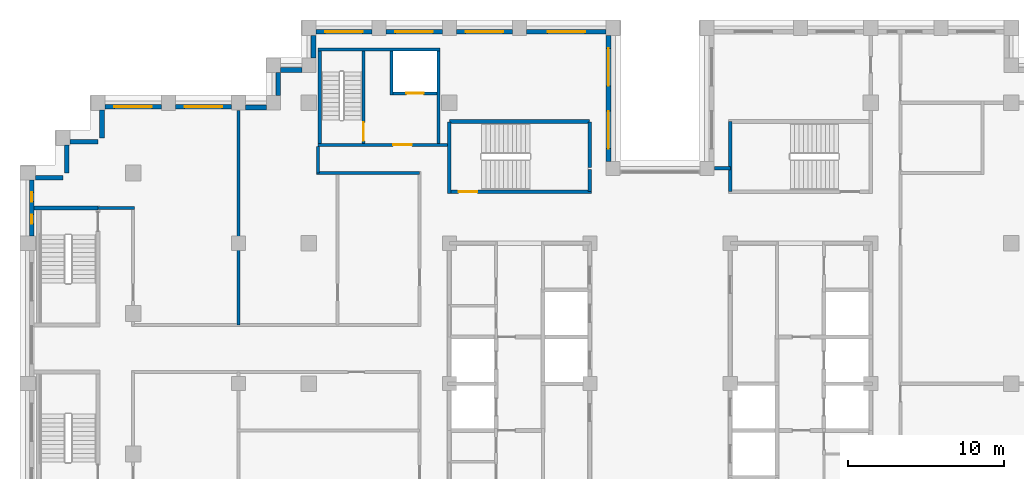
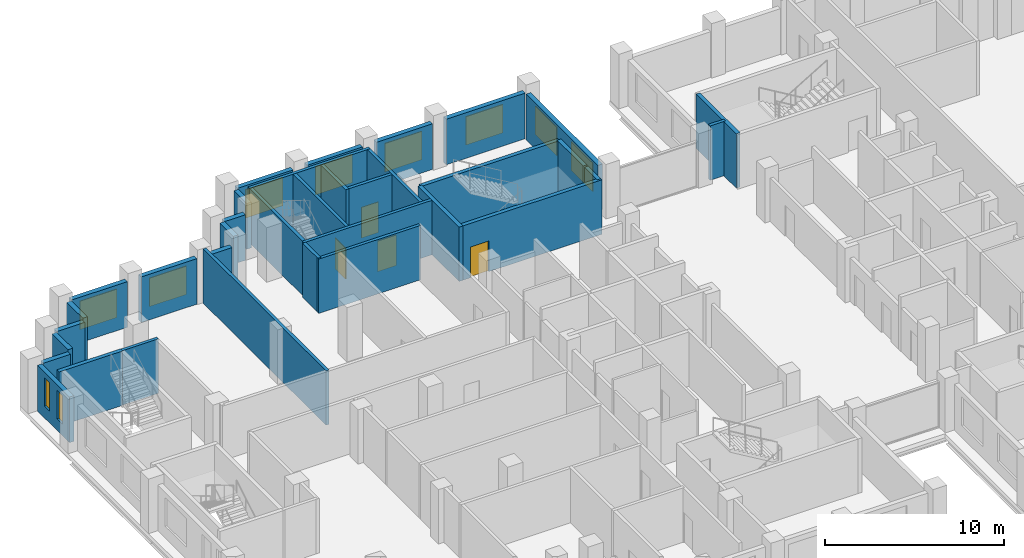
# One storey, part 10 of 15: 35 walls, 10 windows, 4 doors, 14 openings.
"""IFC4 building model written with IfcOpenShell, lengths in metres."""

from ifc_helpers import new_model, si_unit, direction, frame, frame_2d, origin, place, context, subcontext, project, spatial, rectangle, extrude, material, layer, layer_set, type_object, element, fill, save


model = new_model("IFC4")

# Units and contexts
model_context = context("Model", 3, precision=1e-05, world=origin(), true_north=direction((0.0, 1.0)))
body_context = subcontext(model_context, "Body", "Model", "MODEL_VIEW")
ifc_project = project(units=[si_unit("LENGTHUNIT", "METRE"), si_unit("AREAUNIT", "SQUARE_METRE"), si_unit("VOLUMEUNIT", "CUBIC_METRE"), si_unit("PLANEANGLEUNIT", "RADIAN"), si_unit("MASSUNIT", "GRAM", prefix="KILO")], contexts=[model_context])

# Site, building, storey
site_placement = place(None, origin())
site = spatial("IfcSite", under=ifc_project, at=site_placement, CompositionType="ELEMENT")
building_placement = place(site_placement, origin())
building = spatial("IfcBuilding", under=site, at=building_placement, Name="Corbelhall Arena Tower", CompositionType="ELEMENT")
storey_placement = place(building_placement, frame((0.0, 0.0, 208.0)))
storey = spatial("IfcBuildingStorey", under=building, at=storey_placement, Name="L43", CompositionType="ELEMENT", Elevation=208.0)

# Walls
ifc_material_1 = material(Name="Precast concrete C40/50 with granite facing", Category="masonry")
ifc_layer_1 = layer(ifc_material_1, 0.300048828125)
ifc_layer_set_1 = layer_set([ifc_layer_1], Name="EV-IW1 Infill panel 300")
wall_type_1 = type_object("IfcWallType", Name="EV-IW1 Infill panel 300", PredefinedType="SOLIDWALL", material=ifc_layer_set_1)
for number, where, z_axis, x_axis, name in (
    (1, (-35.75, 17.550048828125, 0.0), (0.0, 0.0, 1.0), (0.0, -1.0, 0.0), "Infill panel IW1"),
    (2, (-37.800048828125, 15.5, 0.0), (0.0, 0.0, 1.0), (1.0, 0.0, 0.0), "Infill panel IW1"),
    (3, (-38.0, 15.300048828125, 0.0), (0.0, 0.0, 1.0), (0.0, -1.0, 0.0), "Infill panel IW1"),
):
    element("IfcWall", number, at=place(storey_placement, frame(where, z_axis=z_axis, x_axis=x_axis)), inside=storey, type_object=wall_type_1, Name=name, PredefinedType="SOLIDWALL", context=body_context, shape_type="SweptSolid", body=[
        extrude(rectangle(XDim=1.800048828125, YDim=0.300048828125, at=frame_2d((0.89990234375, 0.0))), origin(), (0.0, 0.0, 1.0), 3.1201171875),
    ])
wall_1_placement = place(storey_placement, frame((-40.0, 13.199951171875, 0.0), z_axis=(0.0, 0.0, 1.0), x_axis=(1.0, 0.0, 0.0)))
element("IfcWall", 4, at=wall_1_placement, inside=storey, type_object=wall_type_1, Name="Infill panel IW1", PredefinedType="SOLIDWALL", context=body_context, shape_type="SweptSolid", body=[
    extrude(rectangle(XDim=1.75, YDim=0.300048828125, at=frame_2d((0.875, 0.0))), origin(), (0.0, 0.0, 1.0), 3.1201171875),
])
wall_2_placement = place(storey_placement, frame((-22.949951171875, 20.10009765625, 0.0), z_axis=(0.0, 0.0, 1.0), x_axis=(-1.0, 0.0, 0.0)))
element("IfcWall", 5, at=wall_2_placement, inside=storey, type_object=wall_type_1, Name="Infill panel IW1", PredefinedType="SOLIDWALL", context=body_context, shape_type="SweptSolid", body=[
    extrude(rectangle(XDim=1.35009765625, YDim=0.300048828125, at=frame_2d((0.675048828125, 0.0))), origin(), (0.0, 0.0, 1.0), 3.1201171875),
])
wall_3_placement = place(storey_placement, frame((-24.449951171875, 19.949951171875, 0.0), z_axis=(0.0, 0.0, 1.0), x_axis=(0.0, -1.0, 0.0)))
element("IfcWall", 6, at=wall_3_placement, inside=storey, type_object=wall_type_1, Name="Infill panel IW1", PredefinedType="SOLIDWALL", context=body_context, shape_type="SweptSolid", body=[
    extrude(rectangle(XDim=1.5, YDim=0.300048828125, at=frame_2d((0.75, 0.0))), origin(), (0.0, 0.0, 1.0), 3.1201171875),
])
wall_4_placement = place(storey_placement, frame((-25.199951171875, 17.699951171875, 0.0), z_axis=(0.0, 0.0, 1.0), x_axis=(-1.0, 0.0, 0.0)))
element("IfcWall", 7, at=wall_4_placement, inside=storey, type_object=wall_type_1, Name="Infill panel IW1", PredefinedType="SOLIDWALL", context=body_context, shape_type="SweptSolid", body=[
    extrude(rectangle(XDim=1.35009765625, YDim=0.300048828125, at=frame_2d((0.675048828125, 0.0))), origin(), (0.0, 0.0, 1.0), 3.1201171875),
])

# Wall, opening, window
wall_5_placement = place(storey_placement, frame((-27.449951171875, 17.75, 0.0), z_axis=(0.0, 0.0, 1.0), x_axis=(-1.0, 0.0, 0.0)))
wall_5 = element("IfcWall", 8, at=wall_5_placement, inside=storey, type_object=wall_type_1, Name="Infill panel IW1", PredefinedType="SOLIDWALL", context=body_context, shape_type="SweptSolid", body=[
    extrude(rectangle(XDim=3.60009765625, YDim=0.300048828125, at=frame_2d((1.800048828125, 0.0))), origin(), (0.0, 0.0, 1.0), 3.1201171875),
])
opening_1_placement = place(wall_5_placement, frame((0.60009765625, 0.0, 0.800048828125)))
opening_1 = element("IfcOpeningElement", 9, at=opening_1_placement, cuts=wall_5, Name="Opening WN1", PredefinedType="OPENING", context=body_context, shape_type="SweptSolid", body=[
    extrude(rectangle(XDim=2.39990234375, YDim=1.949951171875, at=frame_2d((1.199951171875, 0.97509765625))), frame((0.0, 0.14990234375, 0.0), z_axis=(0.0, -1.0, 0.0), x_axis=(1.0, 0.0, 0.0)), (0.0, 0.0, 1.0), 0.300048828125),
])
ifc_material_2 = material(Name="Aluminium black anodised", Category="aluminium")
window_type_1 = type_object("IfcWindowType", Name="EV-WN1 Office window", PartitioningType="SINGLE_PANEL", PredefinedType="WINDOW", material=ifc_material_2)
window_1_placement = place(opening_1_placement, origin())
window_1 = element("IfcWindow", 10, at=window_1_placement, inside=storey, type_object=window_type_1, Name="Window WN1", OverallHeight=1.949951171875, OverallWidth=2.39990234375, PartitioningType="SINGLE_PANEL", PredefinedType="WINDOW", context=body_context, shape_type="SweptSolid", body=[
    extrude(rectangle(XDim=2.39990234375, YDim=1.949951171875, at=frame_2d((1.199951171875, 0.97509765625))), frame((0.0, 0.030029296875, 0.0), z_axis=(0.0, -1.0, 0.0), x_axis=(1.0, 0.0, 0.0)), (0.0, 0.0, 1.0), 0.06005859375),
])
fill(opening_1, window_1)

wall_6_placement = place(storey_placement, frame((-31.949951171875, 17.75, 0.0), z_axis=(0.0, 0.0, 1.0), x_axis=(-1.0, 0.0, 0.0)))
wall_6 = element("IfcWall", 11, at=wall_6_placement, inside=storey, type_object=wall_type_1, Name="Infill panel IW1", PredefinedType="SOLIDWALL", context=body_context, shape_type="SweptSolid", body=[
    extrude(rectangle(XDim=3.60009765625, YDim=0.300048828125, at=frame_2d((1.800048828125, 0.0))), origin(), (0.0, 0.0, 1.0), 3.1201171875),
])
opening_2_placement = place(wall_6_placement, frame((0.60009765625, 0.0, 0.800048828125)))
opening_2 = element("IfcOpeningElement", 12, at=opening_2_placement, cuts=wall_6, Name="Opening WN1", PredefinedType="OPENING", context=body_context, shape_type="SweptSolid", body=[
    extrude(rectangle(XDim=2.39990234375, YDim=1.949951171875, at=frame_2d((1.199951171875, 0.97509765625))), frame((0.0, 0.14990234375, 0.0), z_axis=(0.0, -1.0, 0.0), x_axis=(1.0, 0.0, 0.0)), (0.0, 0.0, 1.0), 0.300048828125),
])
window_2_placement = place(opening_2_placement, origin())
window_2 = element("IfcWindow", 13, at=window_2_placement, inside=storey, type_object=window_type_1, Name="Window WN1", OverallHeight=1.949951171875, OverallWidth=2.39990234375, PartitioningType="SINGLE_PANEL", PredefinedType="WINDOW", context=body_context, shape_type="SweptSolid", body=[
    extrude(rectangle(XDim=2.39990234375, YDim=1.949951171875, at=frame_2d((1.199951171875, 0.97509765625))), frame((0.0, 0.030029296875, 0.0), z_axis=(0.0, -1.0, 0.0), x_axis=(1.0, 0.0, 0.0)), (0.0, 0.0, 1.0), 0.06005859375),
])
fill(opening_2, window_2)

# Wall, openings, windows
wall_7_placement = place(storey_placement, frame((-40.25, 13.050048828125, 0.0), z_axis=(0.0, 0.0, 1.0), x_axis=(0.0, -1.0, 0.0)))
wall_7 = element("IfcWall", 14, at=wall_7_placement, inside=storey, type_object=wall_type_1, Name="Infill panel IW1", PredefinedType="SOLIDWALL", context=body_context, shape_type="SweptSolid", body=[
    extrude(rectangle(XDim=3.60009765625, YDim=0.300048828125, at=frame_2d((1.800048828125, 0.0))), origin(), (0.0, 0.0, 1.0), 3.1201171875),
])
opening_3_placement = place(wall_7_placement, frame((0.78759765625, 0.0, 0.800048828125)))
opening_3 = element("IfcOpeningElement", 15, at=opening_3_placement, cuts=wall_7, Name="Opening WN5", PredefinedType="OPENING", context=body_context, shape_type="SweptSolid", body=[
    extrude(rectangle(XDim=0.60009765625, YDim=1.949951171875, at=frame_2d((0.300048828125, 0.97509765625))), frame((0.0, 0.14990234375, 0.0), z_axis=(0.0, -1.0, 0.0), x_axis=(1.0, 0.0, 0.0)), (0.0, 0.0, 1.0), 0.300048828125),
])
opening_4_placement = place(wall_7_placement, frame((2.21240234375, 0.0, 0.800048828125)))
opening_4 = element("IfcOpeningElement", 16, at=opening_4_placement, cuts=wall_7, Name="Opening WN5", PredefinedType="OPENING", context=body_context, shape_type="SweptSolid", body=[
    extrude(rectangle(XDim=0.60009765625, YDim=1.949951171875, at=frame_2d((0.300048828125, 0.97509765625))), frame((0.0, 0.14990234375, 0.0), z_axis=(0.0, -1.0, 0.0), x_axis=(1.0, 0.0, 0.0)), (0.0, 0.0, 1.0), 0.300048828125),
])
window_type_2 = type_object("IfcWindowType", Name="EV-WN5 Office window 600", PartitioningType="SINGLE_PANEL", PredefinedType="WINDOW", material=ifc_material_2)
window_3_placement = place(opening_3_placement, origin())
window_3 = element("IfcWindow", 17, at=window_3_placement, inside=storey, type_object=window_type_2, Name="Window WN5", OverallHeight=1.949951171875, OverallWidth=0.60009765625, PartitioningType="SINGLE_PANEL", PredefinedType="WINDOW", context=body_context, shape_type="SweptSolid", body=[
    extrude(rectangle(XDim=0.60009765625, YDim=1.949951171875, at=frame_2d((0.300048828125, 0.97509765625))), frame((0.0, 0.030029296875, 0.0), z_axis=(0.0, -1.0, 0.0), x_axis=(1.0, 0.0, 0.0)), (0.0, 0.0, 1.0), 0.06005859375),
])
fill(opening_3, window_3)
window_4_placement = place(opening_4_placement, origin())
window_4 = element("IfcWindow", 18, at=window_4_placement, inside=storey, type_object=window_type_2, Name="Window WN5", OverallHeight=1.949951171875, OverallWidth=0.60009765625, PartitioningType="SINGLE_PANEL", PredefinedType="WINDOW", context=body_context, shape_type="SweptSolid", body=[
    extrude(rectangle(XDim=0.60009765625, YDim=1.949951171875, at=frame_2d((0.300048828125, 0.97509765625))), frame((0.0, 0.030029296875, 0.0), z_axis=(0.0, -1.0, 0.0), x_axis=(1.0, 0.0, 0.0)), (0.0, 0.0, 1.0), 0.06005859375),
])
fill(opening_4, window_4)

wall_8_placement = place(storey_placement, frame((-3.300048828125, 14.25, 0.0), z_axis=(0.0, 0.0, 1.0), x_axis=(0.0, 1.0, 0.0)))
wall_8 = element("IfcWall", 19, at=wall_8_placement, inside=storey, type_object=wall_type_1, Name="Infill panel IW1", PredefinedType="SOLIDWALL", context=body_context, shape_type="SweptSolid", body=[
    extrude(rectangle(XDim=8.050048828125, YDim=0.300048828125, at=frame_2d((4.02490234375, 0.0))), origin(), (0.0, 0.0, 1.0), 3.1201171875),
])
opening_5_placement = place(wall_8_placement, frame((0.8125, 0.0, 0.800048828125)))
opening_5 = element("IfcOpeningElement", 20, at=opening_5_placement, cuts=wall_8, Name="Opening WN1", PredefinedType="OPENING", context=body_context, shape_type="SweptSolid", body=[
    extrude(rectangle(XDim=2.39990234375, YDim=1.949951171875, at=frame_2d((1.199951171875, 0.97509765625))), frame((0.0, 0.14990234375, 0.0), z_axis=(0.0, -1.0, 0.0), x_axis=(1.0, 0.0, 0.0)), (0.0, 0.0, 1.0), 0.300048828125),
])
opening_6_placement = place(wall_8_placement, frame((4.83740234375, 0.0, 0.800048828125)))
opening_6 = element("IfcOpeningElement", 21, at=opening_6_placement, cuts=wall_8, Name="Opening WN1", PredefinedType="OPENING", context=body_context, shape_type="SweptSolid", body=[
    extrude(rectangle(XDim=2.39990234375, YDim=1.949951171875, at=frame_2d((1.199951171875, 0.97509765625))), frame((0.0, 0.14990234375, 0.0), z_axis=(0.0, -1.0, 0.0), x_axis=(1.0, 0.0, 0.0)), (0.0, 0.0, 1.0), 0.300048828125),
])
window_5_placement = place(opening_5_placement, origin())
window_5 = element("IfcWindow", 22, at=window_5_placement, inside=storey, type_object=window_type_1, Name="Window WN1", OverallHeight=1.949951171875, OverallWidth=2.39990234375, PartitioningType="SINGLE_PANEL", PredefinedType="WINDOW", context=body_context, shape_type="SweptSolid", body=[
    extrude(rectangle(XDim=2.39990234375, YDim=1.949951171875, at=frame_2d((1.199951171875, 0.97509765625))), frame((0.0, 0.030029296875, 0.0), z_axis=(0.0, -1.0, 0.0), x_axis=(1.0, 0.0, 0.0)), (0.0, 0.0, 1.0), 0.06005859375),
])
fill(opening_5, window_5)
window_6_placement = place(opening_6_placement, origin())
window_6 = element("IfcWindow", 23, at=window_6_placement, inside=storey, type_object=window_type_1, Name="Window WN1", OverallHeight=1.949951171875, OverallWidth=2.39990234375, PartitioningType="SINGLE_PANEL", PredefinedType="WINDOW", context=body_context, shape_type="SweptSolid", body=[
    extrude(rectangle(XDim=2.39990234375, YDim=1.949951171875, at=frame_2d((1.199951171875, 0.97509765625))), frame((0.0, 0.030029296875, 0.0), z_axis=(0.0, -1.0, 0.0), x_axis=(1.0, 0.0, 0.0)), (0.0, 0.0, 1.0), 0.06005859375),
])
fill(opening_6, window_6)

# Wall, opening, window
wall_9_placement = place(storey_placement, frame((-3.449951171875, 22.550048828125, 0.0), z_axis=(0.0, 0.0, 1.0), x_axis=(-1.0, 0.0, 0.0)))
wall_9 = element("IfcWall", 24, at=wall_9_placement, inside=storey, type_object=wall_type_1, Name="Infill panel IW1", PredefinedType="SOLIDWALL", context=body_context, shape_type="SweptSolid", body=[
    extrude(rectangle(XDim=5.10009765625, YDim=0.300048828125, at=frame_2d((2.550048828125, 0.0))), origin(), (0.0, 0.0, 1.0), 3.1201171875),
])
opening_7_placement = place(wall_9_placement, frame((1.35009765625, 0.0, 0.800048828125)))
opening_7 = element("IfcOpeningElement", 25, at=opening_7_placement, cuts=wall_9, Name="Opening WN1", PredefinedType="OPENING", context=body_context, shape_type="SweptSolid", body=[
    extrude(rectangle(XDim=2.39990234375, YDim=1.949951171875, at=frame_2d((1.199951171875, 0.97509765625))), frame((0.0, 0.14990234375, 0.0), z_axis=(0.0, -1.0, 0.0), x_axis=(1.0, 0.0, 0.0)), (0.0, 0.0, 1.0), 0.300048828125),
])
window_7_placement = place(opening_7_placement, origin())
window_7 = element("IfcWindow", 26, at=window_7_placement, inside=storey, type_object=window_type_1, Name="Window WN1", OverallHeight=1.949951171875, OverallWidth=2.39990234375, PartitioningType="SINGLE_PANEL", PredefinedType="WINDOW", context=body_context, shape_type="SweptSolid", body=[
    extrude(rectangle(XDim=2.39990234375, YDim=1.949951171875, at=frame_2d((1.199951171875, 0.97509765625))), frame((0.0, 0.030029296875, 0.0), z_axis=(0.0, -1.0, 0.0), x_axis=(1.0, 0.0, 0.0)), (0.0, 0.0, 1.0), 0.06005859375),
])
fill(opening_7, window_7)

wall_10_placement = place(storey_placement, frame((-9.449951171875, 22.550048828125, 0.0), z_axis=(0.0, 0.0, 1.0), x_axis=(-1.0, 0.0, 0.0)))
wall_10 = element("IfcWall", 27, at=wall_10_placement, inside=storey, type_object=wall_type_1, Name="Infill panel IW1", PredefinedType="SOLIDWALL", context=body_context, shape_type="SweptSolid", body=[
    extrude(rectangle(XDim=3.60009765625, YDim=0.300048828125, at=frame_2d((1.800048828125, 0.0))), origin(), (0.0, 0.0, 1.0), 3.1201171875),
])
opening_8_placement = place(wall_10_placement, frame((0.60009765625, 0.0, 0.800048828125)))
opening_8 = element("IfcOpeningElement", 28, at=opening_8_placement, cuts=wall_10, Name="Opening WN1", PredefinedType="OPENING", context=body_context, shape_type="SweptSolid", body=[
    extrude(rectangle(XDim=2.39990234375, YDim=1.949951171875, at=frame_2d((1.199951171875, 0.97509765625))), frame((0.0, 0.14990234375, 0.0), z_axis=(0.0, -1.0, 0.0), x_axis=(1.0, 0.0, 0.0)), (0.0, 0.0, 1.0), 0.300048828125),
])
window_8_placement = place(opening_8_placement, origin())
window_8 = element("IfcWindow", 29, at=window_8_placement, inside=storey, type_object=window_type_1, Name="Window WN1", OverallHeight=1.949951171875, OverallWidth=2.39990234375, PartitioningType="SINGLE_PANEL", PredefinedType="WINDOW", context=body_context, shape_type="SweptSolid", body=[
    extrude(rectangle(XDim=2.39990234375, YDim=1.949951171875, at=frame_2d((1.199951171875, 0.97509765625))), frame((0.0, 0.030029296875, 0.0), z_axis=(0.0, -1.0, 0.0), x_axis=(1.0, 0.0, 0.0)), (0.0, 0.0, 1.0), 0.06005859375),
])
fill(opening_8, window_8)

wall_11_placement = place(storey_placement, frame((-13.949951171875, 22.550048828125, 0.0), z_axis=(0.0, 0.0, 1.0), x_axis=(-1.0, 0.0, 0.0)))
wall_11 = element("IfcWall", 30, at=wall_11_placement, inside=storey, type_object=wall_type_1, Name="Infill panel IW1", PredefinedType="SOLIDWALL", context=body_context, shape_type="SweptSolid", body=[
    extrude(rectangle(XDim=3.60009765625, YDim=0.300048828125, at=frame_2d((1.800048828125, 0.0))), origin(), (0.0, 0.0, 1.0), 3.1201171875),
])
opening_9_placement = place(wall_11_placement, frame((0.60009765625, 0.0, 0.800048828125)))
opening_9 = element("IfcOpeningElement", 31, at=opening_9_placement, cuts=wall_11, Name="Opening WN1", PredefinedType="OPENING", context=body_context, shape_type="SweptSolid", body=[
    extrude(rectangle(XDim=2.39990234375, YDim=1.949951171875, at=frame_2d((1.199951171875, 0.97509765625))), frame((0.0, 0.14990234375, 0.0), z_axis=(0.0, -1.0, 0.0), x_axis=(1.0, 0.0, 0.0)), (0.0, 0.0, 1.0), 0.300048828125),
])
window_9_placement = place(opening_9_placement, origin())
window_9 = element("IfcWindow", 32, at=window_9_placement, inside=storey, type_object=window_type_1, Name="Window WN1", OverallHeight=1.949951171875, OverallWidth=2.39990234375, PartitioningType="SINGLE_PANEL", PredefinedType="WINDOW", context=body_context, shape_type="SweptSolid", body=[
    extrude(rectangle(XDim=2.39990234375, YDim=1.949951171875, at=frame_2d((1.199951171875, 0.97509765625))), frame((0.0, 0.030029296875, 0.0), z_axis=(0.0, -1.0, 0.0), x_axis=(1.0, 0.0, 0.0)), (0.0, 0.0, 1.0), 0.06005859375),
])
fill(opening_9, window_9)

wall_12_placement = place(storey_placement, frame((-18.449951171875, 22.550048828125, 0.0), z_axis=(0.0, 0.0, 1.0), x_axis=(-1.0, 0.0, 0.0)))
wall_12 = element("IfcWall", 33, at=wall_12_placement, inside=storey, type_object=wall_type_1, Name="Infill panel IW1", PredefinedType="SOLIDWALL", context=body_context, shape_type="SweptSolid", body=[
    extrude(rectangle(XDim=3.60009765625, YDim=0.300048828125, at=frame_2d((1.800048828125, 0.0))), origin(), (0.0, 0.0, 1.0), 3.1201171875),
])
opening_10_placement = place(wall_12_placement, frame((0.60009765625, 0.0, 0.800048828125)))
opening_10 = element("IfcOpeningElement", 34, at=opening_10_placement, cuts=wall_12, Name="Opening WN1", PredefinedType="OPENING", context=body_context, shape_type="SweptSolid", body=[
    extrude(rectangle(XDim=2.39990234375, YDim=1.949951171875, at=frame_2d((1.199951171875, 0.97509765625))), frame((0.0, 0.14990234375, 0.0), z_axis=(0.0, -1.0, 0.0), x_axis=(1.0, 0.0, 0.0)), (0.0, 0.0, 1.0), 0.300048828125),
])
window_10_placement = place(opening_10_placement, origin())
window_10 = element("IfcWindow", 35, at=window_10_placement, inside=storey, type_object=window_type_1, Name="Window WN1", OverallHeight=1.949951171875, OverallWidth=2.39990234375, PartitioningType="SINGLE_PANEL", PredefinedType="WINDOW", context=body_context, shape_type="SweptSolid", body=[
    extrude(rectangle(XDim=2.39990234375, YDim=1.949951171875, at=frame_2d((1.199951171875, 0.97509765625))), frame((0.0, 0.030029296875, 0.0), z_axis=(0.0, -1.0, 0.0), x_axis=(1.0, 0.0, 0.0)), (0.0, 0.0, 1.0), 0.06005859375),
])
fill(opening_10, window_10)

# Walls
wall_13_placement = place(storey_placement, frame((-22.199951171875, 22.300048828125, 0.0), z_axis=(0.0, 0.0, 1.0), x_axis=(0.0, -1.0, 0.0)))
element("IfcWall", 36, at=wall_13_placement, inside=storey, type_object=wall_type_1, Name="Infill panel IW1", PredefinedType="SOLIDWALL", context=body_context, shape_type="SweptSolid", body=[
    extrude(rectangle(XDim=1.449951171875, YDim=0.300048828125, at=frame_2d((0.72509765625, 0.0))), origin(), (0.0, 0.0, 1.0), 3.1201171875),
])
ifc_material_3 = material(Name="Gypsum board on steel stud, acoustic", Category="steel")
ifc_layer_2 = layer(ifc_material_3, 0.199951171875)
ifc_layer_set_2 = layer_set([ifc_layer_2], Name="IN-W-DM200")
wall_type_2 = type_object("IfcWallType", Name="IN-W-DM200", PredefinedType="PARTITIONING", material=ifc_layer_set_2)
wall_14_placement = place(storey_placement, frame((-36.0, 11.25, 0.0), z_axis=(0.0, 0.0, 1.0), x_axis=(1.0, 0.0, 0.0)))
element("IfcWall", 37, at=wall_14_placement, inside=storey, type_object=wall_type_2, Name="Partition 001", PredefinedType="PARTITIONING", context=body_context, shape_type="SweptSolid", body=[
    extrude(rectangle(XDim=2.35009765625, YDim=0.199951171875, at=frame_2d((1.175048828125, 0.0))), origin(), (0.0, 0.0, 1.0), 3.719970703125),
])
wall_15_placement = place(storey_placement, frame((-27.0, 3.75, 0.0), z_axis=(0.0, 0.0, 1.0), x_axis=(0.0, 1.0, 0.0)))
element("IfcWall", 38, at=wall_15_placement, inside=storey, type_object=wall_type_2, Name="Partition 010", PredefinedType="PARTITIONING", context=body_context, shape_type="SweptSolid", body=[
    extrude(rectangle(XDim=13.75, YDim=0.199951171875, at=frame_2d((6.875, 0.0))), origin(), (0.0, 0.0, 1.0), 3.719970703125),
])
wall_16_placement = place(storey_placement, frame((-21.89990234375, 13.5, 0.0), z_axis=(0.0, 0.0, 1.0), x_axis=(0.0, 1.0, 0.0)))
element("IfcWall", 39, at=wall_16_placement, inside=storey, type_object=wall_type_2, Name="Partition 012", PredefinedType="PARTITIONING", context=body_context, shape_type="SweptSolid", body=[
    extrude(rectangle(XDim=1.699951171875, YDim=0.199951171875, at=frame_2d((0.85009765625, 0.0))), origin(), (0.0, 0.0, 1.0), 3.719970703125),
])
wall_17_placement = place(storey_placement, frame((-15.39990234375, 13.5, 0.0), z_axis=(0.0, 0.0, 1.0), x_axis=(-1.0, 0.0, 0.0)))
element("IfcWall", 40, at=wall_17_placement, inside=storey, type_object=wall_type_2, Name="Partition 014", PredefinedType="PARTITIONING", context=body_context, shape_type="SweptSolid", body=[
    extrude(rectangle(XDim=6.60009765625, YDim=0.199951171875, at=frame_2d((3.300048828125, 0.0))), origin(), (0.0, 0.0, 1.0), 3.719970703125),
])
wall_18_placement = place(storey_placement, frame((3.50048828125, 13.800048828125, 0.0), z_axis=(0.0, 0.0, 1.0), x_axis=(1.0, 0.0, 0.0)))
element("IfcWall", 41, at=wall_18_placement, inside=storey, type_object=wall_type_2, Name="Partition 021", PredefinedType="PARTITIONING", context=body_context, shape_type="SweptSolid", body=[
    extrude(rectangle(XDim=0.9990234375, YDim=0.199951171875, at=frame_2d((0.49951171875, 0.0))), origin(), (0.0, 0.0, 1.0), 3.719970703125),
])

# Wall, opening, door
ifc_material_4 = material(Name="Concrete C40/50", Category="concrete")
ifc_layer_3 = layer(ifc_material_4, 0.199951171875)
ifc_layer_set_3 = layer_set([ifc_layer_3], Name="IN-W-EAR200")
wall_type_3 = type_object("IfcWallType", Name="IN-W-EAR200", PredefinedType="SOLIDWALL", material=ifc_layer_set_3)
wall_19_placement = place(storey_placement, frame((-21.89990234375, 15.300048828125, 0.0), z_axis=(0.0, 0.0, 1.0), x_axis=(1.0, 0.0, 0.0)))
wall_19 = element("IfcWall", 42, at=wall_19_placement, inside=storey, type_object=wall_type_3, Name="Fire service turret wall south", PredefinedType="SOLIDWALL", context=body_context, shape_type="SweptSolid", body=[
    extrude(rectangle(XDim=8.27490234375, YDim=0.199951171875, at=frame_2d((4.137451171875, 0.0))), origin(), (0.0, 0.0, 1.0), 3.719970703125),
])
opening_11_placement = place(wall_19_placement, frame((4.800048828125, 0.0, 0.0)))
opening_11 = element("IfcOpeningElement", 43, at=opening_11_placement, cuts=wall_19, Name="Opening E132", PredefinedType="OPENING", context=body_context, shape_type="SweptSolid", body=[
    extrude(rectangle(XDim=1.199951171875, YDim=2.10009765625, at=frame_2d((0.60009765625, 1.050048828125))), frame((0.0, 0.10009765625, 0.0), z_axis=(0.0, -1.0, 0.0), x_axis=(1.0, 0.0, 0.0)), (0.0, 0.0, 1.0), 0.199951171875),
])
ifc_material_5 = material(Name="Steel door set", Category="steel")
door_type_1 = type_object("IfcDoorType", Name="IN-D-ST120", OperationType="NOTDEFINED", PredefinedType="DOOR", material=ifc_material_5)
door_1_placement = place(opening_11_placement, origin())
door_1 = element("IfcDoor", 44, at=door_1_placement, inside=storey, type_object=door_type_1, Name="Door from fire service lift lobby to circulation", OperationType="SINGLE_SWING_RIGHT", OverallHeight=2.10009765625, OverallWidth=1.199951171875, PredefinedType="DOOR", context=body_context, shape_type="SweptSolid", body=[
    extrude(rectangle(XDim=1.199951171875, YDim=2.10009765625, at=frame_2d((0.60009765625, 1.050048828125))), frame((0.0, 0.02490234375, 0.0), z_axis=(0.0, -1.0, 0.0), x_axis=(1.0, 0.0, 0.0)), (0.0, 0.0, 1.0), 0.050048828125),
])
fill(opening_11, door_1)

# Walls
wall_20_placement = place(storey_placement, frame((-21.89990234375, 21.39990234375, 0.0), z_axis=(0.0, 0.0, 1.0), x_axis=(1.0, 0.0, 0.0)))
element("IfcWall", 45, at=wall_20_placement, inside=storey, type_object=wall_type_3, Name="Fire service turret wall north", PredefinedType="SOLIDWALL", context=body_context, shape_type="SweptSolid", body=[
    extrude(rectangle(XDim=7.7998046875, YDim=0.199951171875, at=frame_2d((3.89990234375, 0.0))), origin(), (0.0, 0.0, 1.0), 3.719970703125),
])
for number, where, z_axis, x_axis, name in (
    (46, (-21.800048828125, 15.39990234375, 0.0), (0.0, 0.0, 1.0), (0.0, 1.0, 0.0), "Fire service turret wall west"),
    (47, (-14.199951171875, 15.39990234375, 0.0), (0.0, 0.0, 1.0), (0.0, 1.0, 0.0), "Fire service turret wall east"),
):
    element("IfcWall", number, at=place(storey_placement, frame(where, z_axis=z_axis, x_axis=x_axis)), inside=storey, type_object=wall_type_3, Name=name, PredefinedType="SOLIDWALL", context=body_context, shape_type="SweptSolid", body=[
        extrude(rectangle(XDim=5.900146484375, YDim=0.199951171875, at=frame_2d((2.9501953125, 0.0))), origin(), (0.0, 0.0, 1.0), 3.719970703125),
    ])

# Wall, opening, door
wall_21_placement = place(storey_placement, frame((-18.989990234375, 15.39990234375, 0.0), z_axis=(0.0, 0.0, 1.0), x_axis=(0.0, 1.0, 0.0)))
wall_21 = element("IfcWall", 48, at=wall_21_placement, inside=storey, type_object=wall_type_3, Name="Fire service turret wall stair", PredefinedType="SOLIDWALL", context=body_context, shape_type="SweptSolid", body=[
    extrude(rectangle(XDim=5.900146484375, YDim=0.199951171875, at=frame_2d((2.9501953125, 0.0))), origin(), (0.0, 0.0, 1.0), 3.719970703125),
])
opening_12_placement = place(wall_21_placement, frame((0.14990234375, 0.0, 0.0)))
opening_12 = element("IfcOpeningElement", 49, at=opening_12_placement, cuts=wall_21, Name="Opening E131", PredefinedType="OPENING", context=body_context, shape_type="SweptSolid", body=[
    extrude(rectangle(XDim=1.199951171875, YDim=2.10009765625, at=frame_2d((0.60009765625, 1.050048828125))), frame((0.0, 0.10009765625, 0.0), z_axis=(0.0, -1.0, 0.0), x_axis=(1.0, 0.0, 0.0)), (0.0, 0.0, 1.0), 0.199951171875),
])
door_2_placement = place(opening_12_placement, origin())
door_2 = element("IfcDoor", 50, at=door_2_placement, inside=storey, type_object=door_type_1, Name="Stair door to fire service lobby", OperationType="SINGLE_SWING_LEFT", OverallHeight=2.10009765625, OverallWidth=1.199951171875, PredefinedType="DOOR", context=body_context, shape_type="SweptSolid", body=[
    extrude(rectangle(XDim=1.199951171875, YDim=2.10009765625, at=frame_2d((0.60009765625, 1.050048828125))), frame((0.0, 0.02490234375, 0.0), z_axis=(0.0, -1.0, 0.0), x_axis=(1.0, 0.0, 0.0)), (0.0, 0.0, 1.0), 0.050048828125),
])
fill(opening_12, door_2)

# Wall
wall_22_placement = place(storey_placement, frame((-17.199951171875, 18.5, 0.0), z_axis=(0.0, 0.0, 1.0), x_axis=(0.0, 1.0, 0.0)))
element("IfcWall", 51, at=wall_22_placement, inside=storey, type_object=wall_type_3, Name="Fire service turret wall hoistway west", PredefinedType="SOLIDWALL", context=body_context, shape_type="SweptSolid", body=[
    extrude(rectangle(XDim=2.800048828125, YDim=0.199951171875, at=frame_2d((1.39990234375, 0.0))), origin(), (0.0, 0.0, 1.0), 3.719970703125),
])

# Wall, opening, door
wall_23_placement = place(storey_placement, frame((-17.10009765625, 18.60009765625, 0.0), z_axis=(0.0, 0.0, 1.0), x_axis=(1.0, 0.0, 0.0)))
wall_23 = element("IfcWall", 52, at=wall_23_placement, inside=storey, type_object=wall_type_3, Name="Fire service turret wall hoistway south", PredefinedType="SOLIDWALL", context=body_context, shape_type="SweptSolid", body=[
    extrude(rectangle(XDim=2.800048828125, YDim=0.199951171875, at=frame_2d((1.39990234375, 0.0))), origin(), (0.0, 0.0, 1.0), 3.719970703125),
])
opening_13_placement = place(wall_23_placement, frame((0.85009765625, 0.0, 0.0)))
opening_13 = element("IfcOpeningElement", 53, at=opening_13_placement, cuts=wall_23, Name="Opening LD", PredefinedType="OPENING", context=body_context, shape_type="SweptSolid", body=[
    extrude(rectangle(XDim=1.10009765625, YDim=2.10009765625, at=frame_2d((0.550048828125, 1.050048828125))), frame((0.0, 0.10009765625, 0.0), z_axis=(0.0, -1.0, 0.0), x_axis=(1.0, 0.0, 0.0)), (0.0, 0.0, 1.0), 0.199951171875),
])
door_type_2 = type_object("IfcDoorType", Name="IN-D-LD110", OperationType="NOTDEFINED", PredefinedType="DOOR", material=ifc_material_5)
door_3_placement = place(opening_13_placement, origin())
door_3 = element("IfcDoor", 54, at=door_3_placement, inside=storey, type_object=door_type_2, Name="Landing door FS1", OperationType="SLIDING_TO_LEFT", OverallHeight=2.10009765625, OverallWidth=1.10009765625, PredefinedType="DOOR", context=body_context, shape_type="SweptSolid", body=[
    extrude(rectangle(XDim=1.10009765625, YDim=2.10009765625, at=frame_2d((0.550048828125, 1.050048828125))), frame((0.0, 0.02490234375, 0.0), z_axis=(0.0, -1.0, 0.0), x_axis=(1.0, 0.0, 0.0)), (0.0, 0.0, 1.0), 0.050048828125),
])
fill(opening_13, door_3)

# Wall
ifc_layer_4 = layer(ifc_material_4, 0.25)
ifc_layer_set_4 = layer_set([ifc_layer_4], Name="IN-W-ST250")
wall_type_4 = type_object("IfcWallType", Name="IN-W-ST250", PredefinedType="SOLIDWALL", material=ifc_layer_set_4)
wall_24_placement = place(storey_placement, frame((-40.10009765625, 11.25, 0.0), z_axis=(0.0, 0.0, 1.0), x_axis=(1.0, 0.0, 0.0)))
element("IfcWall", 55, at=wall_24_placement, inside=storey, type_object=wall_type_4, Name="Shaft wall 076", PredefinedType="SOLIDWALL", context=body_context, shape_type="SweptSolid", body=[
    extrude(rectangle(XDim=4.10009765625, YDim=0.25, at=frame_2d((2.050048828125, 0.0))), origin(), (0.0, 0.0, 1.0), 3.719970703125),
])

# Wall, opening, door
wall_25_placement = place(storey_placement, frame((-13.5, 12.300048828125, 0.0), z_axis=(0.0, 0.0, 1.0), x_axis=(1.0, 0.0, 0.0)))
wall_25 = element("IfcWall", 56, at=wall_25_placement, inside=storey, type_object=wall_type_4, Name="Shaft wall 082", PredefinedType="SOLIDWALL", context=body_context, shape_type="SweptSolid", body=[
    extrude(rectangle(XDim=9.125, YDim=0.25, at=frame_2d((4.5625, 0.0))), origin(), (0.0, 0.0, 1.0), 3.719970703125),
])
opening_14_placement = place(wall_25_placement, frame((0.60009765625, 0.0, 0.0)))
opening_14 = element("IfcOpeningElement", 57, at=opening_14_placement, cuts=wall_25, Name="Opening 13015", PredefinedType="OPENING", context=body_context, shape_type="SweptSolid", body=[
    extrude(rectangle(XDim=1.199951171875, YDim=2.10009765625, at=frame_2d((0.60009765625, 1.050048828125))), frame((0.0, 0.125, 0.0), z_axis=(0.0, -1.0, 0.0), x_axis=(1.0, 0.0, 0.0)), (0.0, 0.0, 1.0), 0.25),
])
door_4_placement = place(opening_14_placement, origin())
door_4 = element("IfcDoor", 58, at=door_4_placement, inside=storey, type_object=door_type_1, Name="Door 015", OperationType="SINGLE_SWING_RIGHT", OverallHeight=2.10009765625, OverallWidth=1.199951171875, PredefinedType="DOOR", context=body_context, shape_type="SweptSolid", body=[
    extrude(rectangle(XDim=1.199951171875, YDim=2.10009765625, at=frame_2d((0.60009765625, 1.050048828125))), frame((0.0, 0.02490234375, 0.0), z_axis=(0.0, -1.0, 0.0), x_axis=(1.0, 0.0, 0.0)), (0.0, 0.0, 1.0), 0.050048828125),
])
fill(opening_14, door_4)

# Walls
wall_26_placement = place(storey_placement, frame((-13.5, 16.780029296875, 0.0), z_axis=(0.0, 0.0, 1.0), x_axis=(0.0, -1.0, 0.0)))
element("IfcWall", 59, at=wall_26_placement, inside=storey, type_object=wall_type_4, Name="Shaft wall 083", PredefinedType="SOLIDWALL", context=body_context, shape_type="SweptSolid", body=[
    extrude(rectangle(XDim=4.60498046875, YDim=0.25, at=frame_2d((2.302490234375, 0.0))), origin(), (0.0, 0.0, 1.0), 3.719970703125),
])
wall_27_placement = place(storey_placement, frame((-13.47998046875, 16.800048828125, 0.0), z_axis=(0.0, 0.0, 1.0), x_axis=(1.0, 0.0, 0.0)))
element("IfcWall", 60, at=wall_27_placement, inside=storey, type_object=wall_type_4, Name="Shaft wall 084", PredefinedType="SOLIDWALL", context=body_context, shape_type="SweptSolid", body=[
    extrude(rectangle(XDim=8.9599609375, YDim=0.25, at=frame_2d((4.47998046875, 0.0))), origin(), (0.0, 0.0, 1.0), 3.719970703125),
])
wall_28_placement = place(storey_placement, frame((-4.5, 13.73291015625, 0.0), z_axis=(0.0, 0.0, 1.0), x_axis=(0.0, -1.0, 0.0)))
element("IfcWall", 61, at=wall_28_placement, inside=storey, type_object=wall_type_4, Name="Shaft wall 087", PredefinedType="SOLIDWALL", context=body_context, shape_type="SweptSolid", body=[
    extrude(rectangle(XDim=1.432861328125, YDim=0.25, at=frame_2d((0.71630859375, 0.0))), origin(), (0.0, 0.0, 1.0), 3.719970703125),
])
wall_29_placement = place(storey_placement, frame((-4.5, 16.780029296875, 0.0), z_axis=(0.0, 0.0, 1.0), x_axis=(0.0, -1.0, 0.0)))
element("IfcWall", 62, at=wall_29_placement, inside=storey, type_object=wall_type_4, Name="Shaft wall 088", PredefinedType="SOLIDWALL", context=body_context, shape_type="SweptSolid", body=[
    extrude(rectangle(XDim=2.9130859375, YDim=0.25, at=frame_2d((1.45654296875, 0.0))), origin(), (0.0, 0.0, 1.0), 3.719970703125),
])
wall_30_placement = place(storey_placement, frame((4.5, 12.300048828125, 0.0), z_axis=(0.0, 0.0, 1.0), x_axis=(0.0, 1.0, 0.0)))
element("IfcWall", 63, at=wall_30_placement, inside=storey, type_object=wall_type_4, Name="Shaft wall 093", PredefinedType="SOLIDWALL", context=body_context, shape_type="SweptSolid", body=[
    extrude(rectangle(XDim=4.5, YDim=0.25, at=frame_2d((2.25, 0.0))), origin(), (0.0, 0.0, 1.0), 3.719970703125),
])

save(model, "model.ifc")
